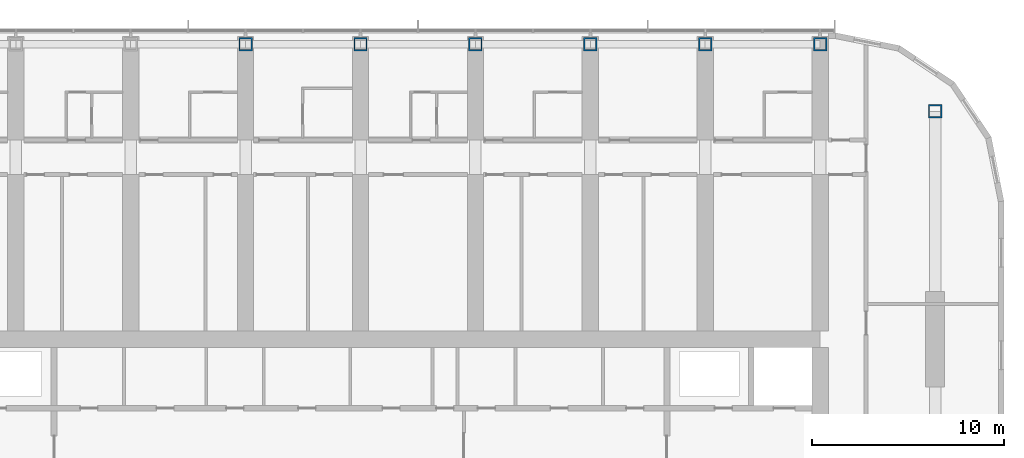
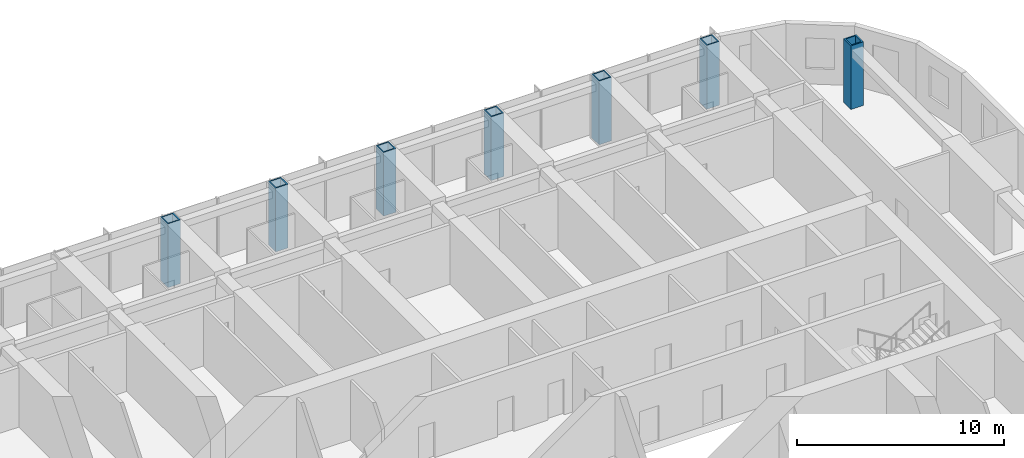
# One storey, part 5 of 29: 7 columns.
"""IFC4 building model written with IfcOpenShell, lengths in metres."""

import ifcopenshell
import ifcopenshell.guid

model = None  # the IFC model being written
_history = None  # IfcOwnerHistory: only IFC2X3 demands one
_inside = {}  # id of a spatial element -> (the spatial element, [elements in it])
_under = {}  # id of a project, library or spatial element -> (it, [spatial elements below it])
_declared = {}  # id of a project -> (the project, [libraries it declares])
_typed = {}  # id of a type object -> (the type object, [elements of that type])
_made_of = {}  # id of a material, layer set ... -> (it, [elements and type objects made of it])


def new_model(schema):
    """Start an empty IFC model of exactly this schema.

    Asked for "IFC4X3", IfcOpenShell would pick the latest addendum, in which some entities
    have other attributes; the version numbers below select the first issue.
    IFC2X3 requires an IfcOwnerHistory on every rooted entity: one is made here for all.
    """
    global model, _history
    if schema == "IFC4X3":
        model = ifcopenshell.file(schema_version=(4, 3, 0, 0))
    else:
        model = ifcopenshell.file(schema=schema)
    _inside.clear()
    _under.clear()
    _declared.clear()
    _typed.clear()
    _made_of.clear()
    _history = None
    if model.schema == "IFC2X3":
        org = make("IfcOrganization", Name="unknown")
        user = make(
            "IfcPersonAndOrganization",
            ThePerson=make("IfcPerson", FamilyName="unknown"),
            TheOrganization=org,
        )
        app = make(
            "IfcApplication",
            ApplicationDeveloper=org,
            Version="unknown",
            ApplicationFullName="unknown",
            ApplicationIdentifier="unknown",
        )
        _history = make(
            "IfcOwnerHistory",
            OwningUser=user,
            OwningApplication=app,
            ChangeAction="ADDED",
            CreationDate=0,
        )
    return model


def make(cls, **values):
    """One entity of the class cls with the attributes given. An attribute that is None is left unset."""
    return model.create_entity(
        cls, **{name: value for name, value in values.items() if value is not None}
    )


def rooted(cls, **values):
    """An entity with a GlobalId (a new one), such as an element, a storey or a relation."""
    return make(cls, GlobalId=ifcopenshell.guid.new(), OwnerHistory=_history, **values)


def si_unit(unit_type, name, prefix=None):
    """IfcSIUnit, for example si_unit("LENGTHUNIT", "METRE", prefix="MILLI")."""
    return make("IfcSIUnit", UnitType=unit_type, Prefix=prefix, Name=name)


def assignment(units):
    """IfcUnitAssignment: the units of a project."""
    return None if units is None else make("IfcUnitAssignment", Units=units)


def point(xyz):
    """IfcCartesianPoint."""
    return None if xyz is None else make("IfcCartesianPoint", Coordinates=xyz)


def direction(xyz):
    """IfcDirection."""
    return None if xyz is None else make("IfcDirection", DirectionRatios=xyz)


def frame(location, z_axis=None, x_axis=None):
    """IfcAxis2Placement3D, a coordinate frame: its origin and axes. An axis left out is left unset."""
    return make(
        "IfcAxis2Placement3D",
        Location=point(location),
        Axis=direction(z_axis),
        RefDirection=direction(x_axis),
    )


def frame_2d(location, x_axis=None):
    """IfcAxis2Placement2D, a coordinate frame in the plane: its origin and x axis."""
    return make(
        "IfcAxis2Placement2D", Location=point(location), RefDirection=direction(x_axis)
    )


def origin():
    """The frame at (0, 0, 0) with its axes left unset."""
    return frame((0.0, 0.0, 0.0))


def origin_2d():
    """The frame at (0, 0) in the plane with its x axis left unset."""
    return frame_2d((0.0, 0.0))


def place(relative_to, where):
    """IfcLocalPlacement: puts the frame where relative to a parent placement (None: the world)."""
    return make(
        "IfcLocalPlacement", PlacementRelTo=relative_to, RelativePlacement=where
    )


def context(
    kind, dimensions, precision=None, world=None, true_north=None, identifier=None
):
    """IfcGeometricRepresentationContext, for example the 3D "Model" context."""
    return make(
        "IfcGeometricRepresentationContext",
        ContextIdentifier=identifier,
        ContextType=kind,
        CoordinateSpaceDimension=dimensions,
        Precision=precision,
        WorldCoordinateSystem=world,
        TrueNorth=true_north,
    )


def subcontext(parent, identifier, kind, view, scale=None):
    """IfcGeometricRepresentationSubContext, for example "Body" below "Model"."""
    return make(
        "IfcGeometricRepresentationSubContext",
        ContextIdentifier=identifier,
        ContextType=kind,
        ParentContext=parent,
        TargetScale=scale,
        TargetView=view,
    )


def project(units=None, contexts=None):
    """IfcProject with its units and contexts."""
    return rooted(
        "IfcProject",
        Name="project",
        RepresentationContexts=contexts,
        UnitsInContext=assignment(units),
    )


def spatial(cls, under=None, at=None, **own):
    """A site, building, storey or space (cls), placed at a placement, below another one or the project."""
    s = rooted(cls, ObjectPlacement=at, **own)
    if under is not None:
        _under.setdefault(under.id(), (under, []))[1].append(s)
    return s


def profile(cls, at=None, kind="AREA", **sizes):
    """A parametric profile (cls). Its sizes go by their IFC names, for example OverallWidth=200.0."""
    return make(cls, ProfileType=kind, Position=at, **sizes)


def hollow_rectangle(**sizes):
    """IfcRectangleHollowProfileDef."""
    return profile("IfcRectangleHollowProfileDef", **sizes)


def extrude(swept, where, along, depth):
    """IfcExtrudedAreaSolid: the profile swept, set in the frame where, extruded along a direction by depth."""
    return make(
        "IfcExtrudedAreaSolid",
        SweptArea=swept,
        Position=where,
        ExtrudedDirection=direction(along),
        Depth=depth,
    )


def shape(context_of_items, identifier, shape_type, items):
    """IfcShapeRepresentation: the items that make up one representation, for example the "Body"."""
    return make(
        "IfcShapeRepresentation",
        ContextOfItems=context_of_items,
        RepresentationIdentifier=identifier,
        RepresentationType=shape_type,
        Items=items,
    )


def material(Name=None, Category=None):
    """IfcMaterial."""
    return make("IfcMaterial", Name=Name, Category=Category)


def material_profile(
    of_material, cross_section, Name=None, Category=None, Priority=None
):
    """IfcMaterialProfile: a cross section and its material."""
    return make(
        "IfcMaterialProfile",
        Name=Name,
        Material=of_material,
        Profile=cross_section,
        Priority=Priority,
        Category=Category,
    )


def profile_set(profiles, Name=None, composite=None):
    """IfcMaterialProfileSet."""
    return make(
        "IfcMaterialProfileSet",
        Name=Name,
        MaterialProfiles=profiles,
        CompositeProfile=composite,
    )


def made_of(thing, what):
    """Note that an element or type object is made of a material, layer set ...; save() writes the relation."""
    if what is not None:
        _made_of.setdefault(what.id(), (what, []))[1].append(thing)
    return thing


def type_object(cls, material=None, **own):
    """A type object (cls), such as IfcWallType, which elements share."""
    return made_of(rooted(cls, **own), material)


def element(
    cls,
    number,
    at=None,
    inside=None,
    cuts=None,
    type_object=None,
    material=None,
    context=None,
    identifier="Body",
    shape_type=None,
    held_by="IfcProductDefinitionShape",
    body=None,
    shapes=None,
    **own,
):
    """One element of the class cls, such as IfcWall. Its Tag is "e" and its number.

    at: its placement. inside: the storey or other place that contains it. cuts: it is an
    opening in that element (IfcRelVoidsElement). A single representation is given by context,
    identifier, shape_type and body (its items); several are given by shapes. held_by: the class
    of the entity that holds the representations. save() writes the other relations.
    """
    e = rooted(cls, Tag="e%d" % number, ObjectPlacement=at, **own)
    if body is not None:
        shapes = [shape(context, identifier, shape_type, body)]
    if shapes is not None:
        e.Representation = make(held_by, Representations=shapes)
    if inside is not None:
        _inside.setdefault(inside.id(), (inside, []))[1].append(e)
    if cuts is not None:
        rooted(
            "IfcRelVoidsElement", RelatingBuildingElement=cuts, RelatedOpeningElement=e
        )
    if type_object is not None:
        _typed.setdefault(type_object.id(), (type_object, []))[1].append(e)
    return made_of(e, material)


def aggregate(whole, parts):
    """IfcRelAggregates: a whole, such as a stair, and the parts it consists of."""
    return rooted("IfcRelAggregates", RelatingObject=whole, RelatedObjects=parts)


def save(model, path):
    """Write the relations noted so far, then the file.

    IfcRelAggregates (storeys below a building ...), IfcRelContainedInSpatialStructure (elements
    in a storey), IfcRelDefinesByType, IfcRelAssociatesMaterial and IfcRelDeclares: one each for
    every whole, place, type object, material and project.
    """
    for whole, parts in _under.values():
        aggregate(whole, parts)
    for where, things in _inside.values():
        rooted(
            "IfcRelContainedInSpatialStructure",
            RelatedElements=things,
            RelatingStructure=where,
        )
    for kind, things in _typed.values():
        rooted("IfcRelDefinesByType", RelatedObjects=things, RelatingType=kind)
    for what, things in _made_of.values():
        rooted("IfcRelAssociatesMaterial", RelatedObjects=things, RelatingMaterial=what)
    for by, libraries in _declared.values():
        rooted("IfcRelDeclares", RelatingContext=by, RelatedDefinitions=libraries)
    model.write(path)


model = new_model("IFC4")

# Units and contexts
model_context = context("Model", 3, precision=1e-05, world=origin(), true_north=direction((0.0, 1.0)))
body_context = subcontext(model_context, "Body", "Model", "MODEL_VIEW")
ifc_project = project(units=[si_unit("LENGTHUNIT", "METRE"), si_unit("AREAUNIT", "SQUARE_METRE"), si_unit("VOLUMEUNIT", "CUBIC_METRE"), si_unit("PLANEANGLEUNIT", "RADIAN"), si_unit("MASSUNIT", "GRAM", prefix="KILO")], contexts=[model_context])

# Site, building, storey
site_placement = place(None, origin())
site = spatial("IfcSite", under=ifc_project, at=site_placement, CompositionType="ELEMENT")
building_placement = place(site_placement, origin())
building = spatial("IfcBuilding", under=site, at=building_placement, Name="Orbita Commons", CompositionType="ELEMENT")
storey_placement = place(building_placement, frame((0.0, 0.0, 148.60009765625)))
storey = spatial("IfcBuildingStorey", under=building, at=storey_placement, Name="L36", CompositionType="ELEMENT", Elevation=148.60009765625)

# Columns
ifc_material = material(Name="Steel ASTM A572 Gr 50 welded plate", Category="steel")
ifc_material_profile = material_profile(ifc_material, hollow_rectangle(XDim=0.699951171875, YDim=0.699951171875, WallThickness=0.070068359375, at=origin_2d()), Name="BOX 700x700x70")
ifc_profile_set = profile_set([ifc_material_profile], Name="Steel ASTM A572 Gr 50 welded plate")
column_type = type_object("IfcColumnType", Name="Steel column BOX 700x700x70", PredefinedType="COLUMN", material=ifc_profile_set)
for number, where, z_axis, x_axis, name in (
    (1, (36.0, 53.60009765625, 0.0), (0.0, 0.0, 1.0), (1.0, 0.0, 0.0), "Column 7/E L36"),
    (2, (42.0, 53.60009765625, 0.0), (0.0, 0.0, 1.0), (1.0, 0.0, 0.0), "Column 8/E L36"),
    (3, (48.0, 53.60009765625, 0.0), (0.0, 0.0, 1.0), (1.0, 0.0, 0.0), "Column 9/E L36"),
    (4, (54.0, 53.60009765625, 0.0), (0.0, 0.0, 1.0), (1.0, 0.0, 0.0), "Column 10/E L36"),
    (5, (60.0, 53.60009765625, 0.0), (0.0, 0.0, 1.0), (1.0, 0.0, 0.0), "Column 11/E L36"),
    (6, (66.0, 53.60009765625, 0.0), (0.0, 0.0, 1.0), (1.0, 0.0, 0.0), "Column 12/E L36"),
    (7, (72.0, 50.10009765625, 0.0), (0.0, 0.0, 1.0), (1.0, 0.0, 0.0), "Column 13/50.1 L36"),
):
    element("IfcColumn", number, at=place(storey_placement, frame(where, z_axis=z_axis, x_axis=x_axis)), inside=storey, type_object=column_type, Name=name, PredefinedType="COLUMN", context=body_context, shape_type="SweptSolid", body=[
        extrude(hollow_rectangle(XDim=0.699951171875, YDim=0.699951171875, WallThickness=0.070068359375, at=origin_2d()), origin(), (0.0, 0.0, 1.0), 3.75),
    ])

save(model, "model.ifc")
